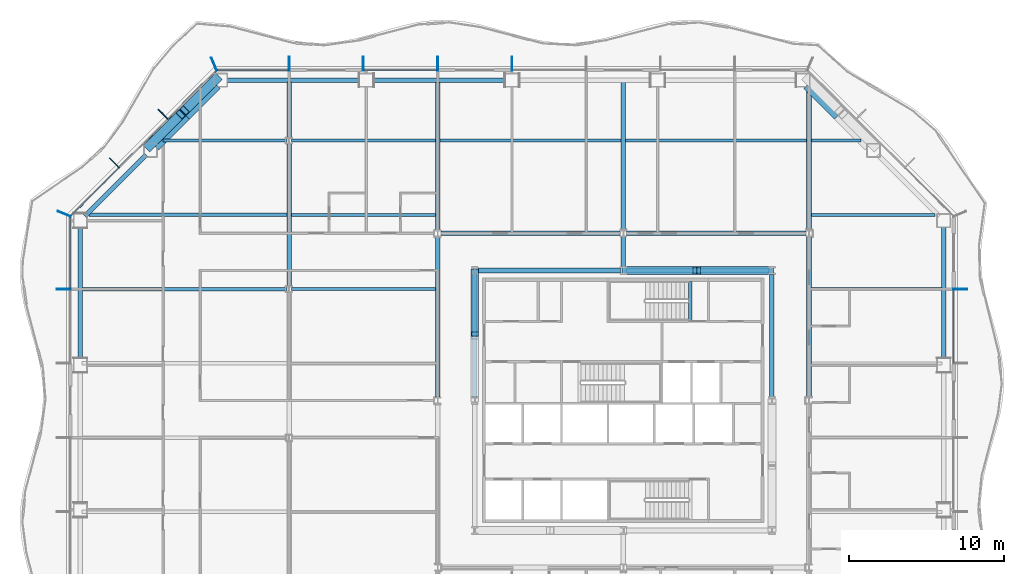
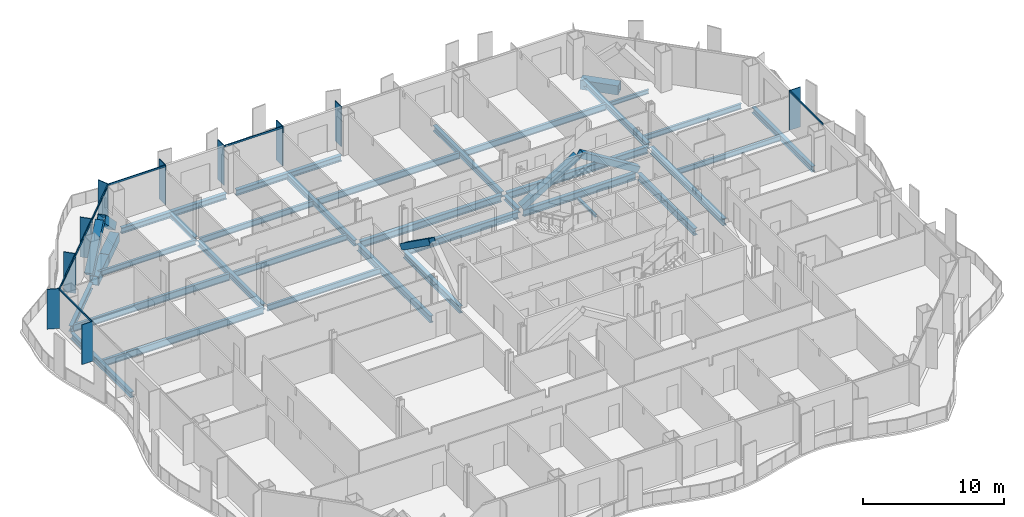
# One storey, part 3 of 21: 34 beams, 22 members, 4 elements without a shape of their own.
"""IFC4 building model written with IfcOpenShell, lengths in metres."""

from ifc_helpers import new_model, si_unit, direction, frame, origin, origin_2d, place, context, subcontext, project, spatial, rectangle, hollow_rectangle, i_section, extrude, material, material_profile, profile_set, type_object, element, aggregate, save


model = new_model("IFC4")

# Units and contexts
model_context = context("Model", 3, precision=1e-05, world=origin(), true_north=direction((0.0, 1.0)))
body_context = subcontext(model_context, "Body", "Model", "MODEL_VIEW")
ifc_project = project(units=[si_unit("LENGTHUNIT", "METRE"), si_unit("AREAUNIT", "SQUARE_METRE"), si_unit("VOLUMEUNIT", "CUBIC_METRE"), si_unit("PLANEANGLEUNIT", "RADIAN"), si_unit("MASSUNIT", "GRAM", prefix="KILO")], contexts=[model_context])

# Site, building, storey
site_placement = place(None, origin())
site = spatial("IfcSite", under=ifc_project, at=site_placement, CompositionType="ELEMENT")
building_placement = place(site_placement, origin())
building = spatial("IfcBuilding", under=site, at=building_placement, Name="Cairn Pilgrim Tower", CompositionType="ELEMENT")
storey_placement = place(building_placement, frame((0.0, 0.0, 69.0)))
storey = spatial("IfcBuildingStorey", under=building, at=storey_placement, Name="L15", CompositionType="ELEMENT", Elevation=69.0)

# Members
ifc_material_1 = material(Name="Structural steel S460M", Category="steel")
ifc_material_profile_1 = material_profile(ifc_material_1, hollow_rectangle(XDim=0.5, YDim=0.5, WallThickness=0.030029296875, at=origin_2d()), Name="BOX 500x500x30")
ifc_profile_set_1 = profile_set([ifc_material_profile_1], Name="Structural steel S460M")
member_type_1 = type_object("IfcMemberType", Name="BOX 500x500x30 BRACE", PredefinedType="BRACE", material=ifc_profile_set_1)
member_1_placement = place(storey_placement, frame((16.75634765625, 10.800048828125, 0.10009765625), z_axis=(-0.851022151122, 0.0, 0.52512979186), x_axis=(0.0, -1.0, 0.0)))
element("IfcMember", 1, at=member_1_placement, inside=storey, type_object=member_type_1, Name="KB-3A", PredefinedType="BRACE", context=body_context, shape_type="SweptSolid", body=[
    extrude(hollow_rectangle(XDim=0.5, YDim=0.5, WallThickness=0.030029296875, at=origin_2d()), origin(), (0.0, 0.0, 1.0), 5.5263671875),
])
member_2_placement = place(storey_placement, frame((7.24365234375, 10.800048828125, 0.10009765625), z_axis=(0.851007515624, 0.0, 0.525153509321), x_axis=(0.0, 1.0, 0.0)))
element("IfcMember", 2, at=member_2_placement, inside=storey, type_object=member_type_1, Name="KB-3B", PredefinedType="BRACE", context=body_context, shape_type="SweptSolid", body=[
    extrude(hollow_rectangle(XDim=0.5, YDim=0.5, WallThickness=0.030029296875, at=origin_2d()), origin(), (0.0, 0.0, 1.0), 5.37646484375),
])
member_3_placement = place(storey_placement, frame((-2.39990234375, 10.75634765625, 0.10009765625), z_axis=(0.0, -0.814198726233, 0.580586284889), x_axis=(1.0, 0.0, 0.0)))
element("IfcMember", 3, at=member_3_placement, inside=storey, type_object=member_type_1, Name="KB-4A", PredefinedType="BRACE", context=body_context, shape_type="SweptSolid", body=[
    extrude(hollow_rectangle(XDim=0.5, YDim=0.5, WallThickness=0.030029296875, at=origin_2d()), origin(), (0.0, 0.0, 1.0), 4.99658203125),
])
ifc_material_profile_2 = material_profile(ifc_material_1, hollow_rectangle(XDim=0.60009765625, YDim=0.60009765625, WallThickness=0.034912109375, at=origin_2d()), Name="BOX 600x600x35")
ifc_profile_set_2 = profile_set([ifc_material_profile_2], Name="Structural steel S460M")
member_type_2 = type_object("IfcMemberType", Name="BOX 600x600x35 BRACE", PredefinedType="BRACE", material=ifc_profile_set_2)
for number, where, z_axis, x_axis, name in (
    (4, (-19.078125, 23.2236328125, 0.14990234375), (-0.52892212789, -0.52892212789, 0.663688756314), (0.707106781187, -0.707106781187, 0.0), "XB-NW1-NW2-1"),
    (5, (-23.4873046875, 18.814697265625, 0.14990234375), (0.528939327604, 0.528877844478, 0.663710338426), (-0.70706568108, 0.707147878904, 0.0), "XB-NW1-NW2-2"),
):
    element("IfcMember", number, at=place(storey_placement, frame(where, z_axis=z_axis, x_axis=x_axis)), inside=storey, type_object=member_type_2, Name=name, PredefinedType="BRACE", context=body_context, shape_type="SweptSolid", body=[
        extrude(hollow_rectangle(XDim=0.60009765625, YDim=0.60009765625, WallThickness=0.034912109375, at=origin_2d()), origin(), (0.0, 0.0, 1.0), 3.970947265625),
    ])

# Beams
ifc_material_2 = material(Name="Structural steel S355J2", Category="steel")
ifc_material_profile_3 = material_profile(ifc_material_2, hollow_rectangle(XDim=0.699951171875, YDim=0.800048828125, WallThickness=0.0400390625, at=origin_2d()), Name="BOX 700x800x40")
ifc_profile_set_3 = profile_set([ifc_material_profile_3], Name="Structural steel S355J2")
beam_type_1 = type_object("IfcBeamType", Name="BOX 700x800x40 RING GIRDER", PredefinedType="SPANDREL", material=ifc_profile_set_3)
for number, where, z_axis, x_axis, name in (
    (6, (21.095458984375, 20.831787109375, -0.550048828125), (-0.707106781187, 0.707106781187, 0.0), (-0.707106781187, -0.707106781187, 0.0), "RG1-NE2-N1-2"),
    (7, (-19.113525390625, 22.813720703125, -0.550048828125), (-0.707106781187, -0.707106781187, 0.0), (0.707106781187, -0.707106781187, 0.0), "RG1-NW1-NW2-1"),
):
    element("IfcBeam", number, at=place(storey_placement, frame(where, z_axis=z_axis, x_axis=x_axis)), inside=storey, type_object=beam_type_1, Name=name, PredefinedType="SPANDREL", context=body_context, shape_type="SweptSolid", body=[
        extrude(hollow_rectangle(XDim=0.699951171875, YDim=0.800048828125, WallThickness=0.0400390625, at=origin_2d()), origin(), (0.0, 0.0, 1.0), 2.802978515625),
    ])
beam_1_placement = place(storey_placement, frame((-21.095458984375, 20.831787109375, -0.550048828125), z_axis=(-0.707106781187, -0.707106781187, 0.0), x_axis=(0.707106781187, -0.707106781187, 0.0)))
element("IfcBeam", 8, at=beam_1_placement, inside=storey, type_object=beam_type_1, Name="RG1-NW1-NW2-2", PredefinedType="SPANDREL", context=body_context, shape_type="SweptSolid", body=[
    extrude(hollow_rectangle(XDim=0.699951171875, YDim=0.800048828125, WallThickness=0.0400390625, at=origin_2d()), origin(), (0.0, 0.0, 1.0), 2.802490234375),
])

# Curtain wall, member
ifc_material_3 = material(Name="Aluminium alloy 6063-T6 bronze anodised with Bronze tinted laminated low-E glass 8+16+8.8", Category="aluminium")
curtain_wall_type_1 = type_object("IfcCurtainWallType", Name="TOWER STICK CURTAIN WALL EW", PredefinedType="NOTDEFINED", material=ifc_material_3)
curtain_wall_1_placement = place(storey_placement, origin())
curtain_wall_1 = element("IfcCurtainWall", 9, at=curtain_wall_1_placement, inside=storey, type_object=curtain_wall_type_1, Name="Tower Stick Curtain Wall Ew E", PredefinedType="NOTDEFINED")
ifc_material_4 = material(Name="Aluminium alloy 6063-T6 bronze anodised", Category="aluminium")
ifc_material_profile_4 = material_profile(ifc_material_4, rectangle(XDim=0.89990234375, YDim=0.06005859375, at=origin_2d()), Name="FIN MULLION 60x900 BRONZE")
ifc_profile_set_4 = profile_set([ifc_material_profile_4], Name="Aluminium alloy 6063-T6 bronze anodised")
member_type_3 = type_object("IfcMemberType", Name="FIN MULLION 60x900 BRONZE", PredefinedType="MULLION", material=ifc_profile_set_4)
member_4_placement = place(storey_placement, frame((28.969970703125, 9.60009765625, 0.0), z_axis=(0.0, 0.0, 1.0), x_axis=(1.0, 0.0, 0.0)))
member_4 = element("IfcMember", 10, at=member_4_placement, type_object=member_type_3, Name="Fin mullion E6", PredefinedType="MULLION", context=body_context, shape_type="SweptSolid", body=[
    extrude(rectangle(XDim=0.89990234375, YDim=0.06005859375, at=origin_2d()), origin(), (0.0, 0.0, 1.0), 3.449951171875),
])

# Curtain wall, members
curtain_wall_type_2 = type_object("IfcCurtainWallType", Name="TOWER STICK CURTAIN WALL NS", PredefinedType="NOTDEFINED", material=ifc_material_3)
curtain_wall_2_placement = place(storey_placement, origin())
curtain_wall_2 = element("IfcCurtainWall", 11, at=curtain_wall_2_placement, inside=storey, type_object=curtain_wall_type_2, Name="Tower Stick Curtain Wall Ns N", PredefinedType="NOTDEFINED")
member_5_placement = place(storey_placement, frame((0.0, 24.169921875, 0.0), z_axis=(0.0, 0.0, 1.0), x_axis=(0.0, 1.0, 0.0)))
member_5 = element("IfcMember", 12, at=member_5_placement, type_object=member_type_3, Name="Fin mullion N5", PredefinedType="MULLION", context=body_context, shape_type="SweptSolid", body=[
    extrude(rectangle(XDim=0.89990234375, YDim=0.06005859375, at=origin_2d()), origin(), (0.0, 0.0, 1.0), 3.449951171875),
])
member_6_placement = place(storey_placement, frame((-4.800048828125, 24.169921875, 0.0), z_axis=(0.0, 0.0, 1.0), x_axis=(0.0, 1.0, 0.0)))
member_6 = element("IfcMember", 13, at=member_6_placement, type_object=member_type_3, Name="Fin mullion N6", PredefinedType="MULLION", context=body_context, shape_type="SweptSolid", body=[
    extrude(rectangle(XDim=0.89990234375, YDim=0.06005859375, at=origin_2d()), origin(), (0.0, 0.0, 1.0), 3.449951171875),
])
member_7_placement = place(storey_placement, frame((-9.60009765625, 24.169921875, 0.0), z_axis=(0.0, 0.0, 1.0), x_axis=(0.0, 1.0, 0.0)))
member_7 = element("IfcMember", 14, at=member_7_placement, type_object=member_type_3, Name="Fin mullion N7", PredefinedType="MULLION", context=body_context, shape_type="SweptSolid", body=[
    extrude(rectangle(XDim=0.89990234375, YDim=0.06005859375, at=origin_2d()), origin(), (0.0, 0.0, 1.0), 3.449951171875),
])
member_8_placement = place(storey_placement, frame((-14.39990234375, 24.169921875, 0.0), z_axis=(0.0, 0.0, 1.0), x_axis=(0.0, 1.0, 0.0)))
member_8 = element("IfcMember", 15, at=member_8_placement, type_object=member_type_3, Name="Fin mullion N8", PredefinedType="MULLION", context=body_context, shape_type="SweptSolid", body=[
    extrude(rectangle(XDim=0.89990234375, YDim=0.06005859375, at=origin_2d()), origin(), (0.0, 0.0, 1.0), 3.449951171875),
])

curtain_wall_type_3 = type_object("IfcCurtainWallType", Name="CHAMFER CORNER CURTAIN WALL", PredefinedType="NOTDEFINED", material=ifc_material_3)
curtain_wall_3_placement = place(storey_placement, origin())
curtain_wall_3 = element("IfcCurtainWall", 16, at=curtain_wall_3_placement, inside=storey, type_object=curtain_wall_type_3, Name="Chamfer Corner Curtain Wall NW", PredefinedType="NOTDEFINED")
member_9_placement = place(storey_placement, frame((-19.257080078125, 24.137939453125, 0.0), z_axis=(0.0, 0.0, 1.0), x_axis=(-0.382683432365, 0.923879532511, 0.0)))
member_9 = element("IfcMember", 17, at=member_9_placement, type_object=member_type_3, Name="Fin mullion NW1", PredefinedType="MULLION", context=body_context, shape_type="SweptSolid", body=[
    extrude(rectangle(XDim=0.89990234375, YDim=0.06005859375, at=origin_2d()), origin(), (0.0, 0.0, 1.0), 3.449951171875),
])
member_10_placement = place(storey_placement, frame((-22.544677734375, 20.895751953125, 0.0), z_axis=(0.0, 0.0, 1.0), x_axis=(-0.707106781187, 0.707106781187, 0.0)))
member_10 = element("IfcMember", 18, at=member_10_placement, type_object=member_type_3, Name="Fin mullion NW2", PredefinedType="MULLION", context=body_context, shape_type="SweptSolid", body=[
    extrude(rectangle(XDim=0.89990234375, YDim=0.06005859375, at=origin_2d()), origin(), (0.0, 0.0, 1.0), 3.449951171875),
])
member_11_placement = place(storey_placement, frame((-25.69580078125, 17.74462890625, 0.0), z_axis=(0.0, 0.0, 1.0), x_axis=(-0.707106781187, 0.707106781187, 0.0)))
member_11 = element("IfcMember", 19, at=member_11_placement, type_object=member_type_3, Name="Fin mullion NW3", PredefinedType="MULLION", context=body_context, shape_type="SweptSolid", body=[
    extrude(rectangle(XDim=0.89990234375, YDim=0.06005859375, at=origin_2d()), origin(), (0.0, 0.0, 1.0), 3.449951171875),
])

curtain_wall_4_placement = place(storey_placement, origin())
curtain_wall_4 = element("IfcCurtainWall", 20, at=curtain_wall_4_placement, inside=storey, type_object=curtain_wall_type_1, Name="Tower Stick Curtain Wall Ew W", PredefinedType="NOTDEFINED")
member_12_placement = place(storey_placement, frame((-28.93798828125, 14.457275390625, 0.0), z_axis=(0.0, 0.0, 1.0), x_axis=(-0.923879532511, 0.382683432365, 0.0)))
member_12 = element("IfcMember", 21, at=member_12_placement, type_object=member_type_3, Name="Fin mullion W1", PredefinedType="MULLION", context=body_context, shape_type="SweptSolid", body=[
    extrude(rectangle(XDim=0.89990234375, YDim=0.06005859375, at=origin_2d()), origin(), (0.0, 0.0, 1.0), 3.449951171875),
])
member_13_placement = place(storey_placement, frame((-28.969970703125, 9.60009765625, 0.0), z_axis=(0.0, 0.0, 1.0), x_axis=(-1.0, 0.0, 0.0)))
member_13 = element("IfcMember", 22, at=member_13_placement, type_object=member_type_3, Name="Fin mullion W2", PredefinedType="MULLION", context=body_context, shape_type="SweptSolid", body=[
    extrude(rectangle(XDim=0.89990234375, YDim=0.06005859375, at=origin_2d()), origin(), (0.0, 0.0, 1.0), 3.449951171875),
])

# Beams
ifc_material_profile_5 = material_profile(ifc_material_2, i_section(OverallWidth=0.300048828125, OverallDepth=0.39990234375, WebThickness=0.013427734375, FlangeThickness=0.02392578125, FilletRadius=0.027099609375, at=origin_2d()), Name="HEB 400")
ifc_profile_set_5 = profile_set([ifc_material_profile_5], Name="Structural steel S355J2")
beam_type_2 = type_object("IfcBeamType", Name="HEB 400 GIRDER", PredefinedType="BEAM", material=ifc_profile_set_5)
beam_2_placement = place(storey_placement, frame((-14.39990234375, 19.404541015625, -0.35009765625), z_axis=(0.0, 1.0, 0.0), x_axis=(-1.0, 0.0, 0.0)))
element("IfcBeam", 23, at=beam_2_placement, inside=storey, type_object=beam_type_2, Name="PG1-6", PredefinedType="BEAM", context=body_context, shape_type="SweptSolid", body=[
    extrude(i_section(OverallWidth=0.300048828125, OverallDepth=0.39990234375, WebThickness=0.013427734375, FlangeThickness=0.02392578125, FilletRadius=0.027099609375, at=origin_2d()), origin(), (0.0, 0.0, 1.0), 3.575439453125),
])
beam_3_placement = place(storey_placement, frame((7.199951171875, 11.0185546875, -0.35009765625), z_axis=(0.0, 1.0, 0.0), x_axis=(-1.0, 0.0, 0.0)))
element("IfcBeam", 24, at=beam_3_placement, inside=storey, type_object=beam_type_2, Name="PG3-E2", PredefinedType="BEAM", context=body_context, shape_type="SweptSolid", body=[
    extrude(i_section(OverallWidth=0.300048828125, OverallDepth=0.39990234375, WebThickness=0.013427734375, FlangeThickness=0.02392578125, FilletRadius=0.027099609375, at=origin_2d()), origin(), (0.0, 0.0, 1.0), 1.969482421875),
])
ifc_material_profile_6 = material_profile(ifc_material_2, i_section(OverallWidth=0.300048828125, OverallDepth=0.5, WebThickness=0.014404296875, FlangeThickness=0.028076171875, FilletRadius=0.027099609375, at=origin_2d()), Name="HEB 500")
ifc_profile_set_6 = profile_set([ifc_material_profile_6], Name="Structural steel S355J2")
beam_type_3 = type_object("IfcBeamType", Name="HEB 500 GIRDER", PredefinedType="BEAM", material=ifc_profile_set_6)
beam_4_placement = place(storey_placement, frame((-14.39990234375, 9.804443359375, -0.39990234375), z_axis=(0.0, 1.0, 0.0), x_axis=(-1.0, 0.0, 0.0)))
element("IfcBeam", 25, at=beam_4_placement, inside=storey, type_object=beam_type_3, Name="PG1-5", PredefinedType="BEAM", context=body_context, shape_type="SweptSolid", body=[
    extrude(i_section(OverallWidth=0.300048828125, OverallDepth=0.5, WebThickness=0.014404296875, FlangeThickness=0.028076171875, FilletRadius=0.027099609375, at=origin_2d()), origin(), (0.0, 0.0, 1.0), 9.191162109375),
])
for number, where, z_axis, x_axis, name in (
    (26, (-4.800048828125, 13.412109375, -0.39990234375), (0.0, 1.0, 0.0), (-1.0, 0.0, 0.0), "PG2-4"),
    (27, (7.199951171875, 13.412109375, -0.39990234375), (0.0, 1.0, 0.0), (-1.0, 0.0, 0.0), "PG3-2"),
):
    element("IfcBeam", number, at=place(storey_placement, frame(where, z_axis=z_axis, x_axis=x_axis)), inside=storey, type_object=beam_type_3, Name=name, PredefinedType="BEAM", context=body_context, shape_type="SweptSolid", body=[
        extrude(i_section(OverallWidth=0.300048828125, OverallDepth=0.5, WebThickness=0.014404296875, FlangeThickness=0.028076171875, FilletRadius=0.027099609375, at=origin_2d()), origin(), (0.0, 0.0, 1.0), 9.56787109375),
    ])
beam_5_placement = place(storey_placement, frame((19.199951171875, 13.412109375, -0.39990234375), z_axis=(0.0, 1.0, 0.0), x_axis=(-1.0, 0.0, 0.0)))
element("IfcBeam", 28, at=beam_5_placement, inside=storey, type_object=beam_type_3, Name="PG4-4", PredefinedType="BEAM", context=body_context, shape_type="SweptSolid", body=[
    extrude(i_section(OverallWidth=0.300048828125, OverallDepth=0.5, WebThickness=0.014404296875, FlangeThickness=0.028076171875, FilletRadius=0.027099609375, at=origin_2d()), origin(), (0.0, 0.0, 1.0), 9.133056640625),
])
ifc_material_profile_7 = material_profile(ifc_material_2, i_section(OverallWidth=0.300048828125, OverallDepth=0.5, WebThickness=0.014404296875, FlangeThickness=0.028076171875, FilletRadius=0.027099609375, at=origin_2d()), Name="HEB 500")
ifc_profile_set_7 = profile_set([ifc_material_profile_7], Name="Structural steel S355J2")
beam_type_4 = type_object("IfcBeamType", Name="HEB 500 RING GIRDER", PredefinedType="SPANDREL", material=ifc_profile_set_7)
beam_6_placement = place(storey_placement, frame((27.89990234375, 5.080810546875, -0.39990234375), z_axis=(0.0, 1.0, 0.0), x_axis=(-1.0, 0.0, 0.0)))
element("IfcBeam", 29, at=beam_6_placement, inside=storey, type_object=beam_type_4, Name="RG1-E3-NE1", PredefinedType="SPANDREL", context=body_context, shape_type="SweptSolid", body=[
    extrude(i_section(OverallWidth=0.300048828125, OverallDepth=0.5, WebThickness=0.014404296875, FlangeThickness=0.028076171875, FilletRadius=0.027099609375, at=origin_2d()), origin(), (0.0, 0.0, 1.0), 8.54150390625),
])
for number, where, z_axis, x_axis, name in (
    (30, (-0.405029296875, 23.10009765625, -0.39990234375), (-1.0, 0.0, 0.0), (0.0, -1.0, 0.0), "RG1-N3-N4"),
    (31, (-9.818603515625, 23.10009765625, -0.39990234375), (-1.0, 0.0, 0.0), (0.0, -1.0, 0.0), "RG1-N4-NW1"),
):
    element("IfcBeam", number, at=place(storey_placement, frame(where, z_axis=z_axis, x_axis=x_axis)), inside=storey, type_object=beam_type_4, Name=name, PredefinedType="SPANDREL", context=body_context, shape_type="SweptSolid", body=[
        extrude(i_section(OverallWidth=0.300048828125, OverallDepth=0.5, WebThickness=0.014404296875, FlangeThickness=0.028076171875, FilletRadius=0.027099609375, at=origin_2d()), origin(), (0.0, 0.0, 1.0), 8.603515625),
    ])
beam_7_placement = place(storey_placement, frame((-23.64990234375, 18.277099609375, -0.39990234375), z_axis=(-0.707128558756, -0.707085002947, 0.0), x_axis=(0.707085002947, -0.707128558756, 0.0)))
element("IfcBeam", 32, at=beam_7_placement, inside=storey, type_object=beam_type_4, Name="RG1-NW2-W1", PredefinedType="SPANDREL", context=body_context, shape_type="SweptSolid", body=[
    extrude(i_section(OverallWidth=0.300048828125, OverallDepth=0.5, WebThickness=0.014404296875, FlangeThickness=0.028076171875, FilletRadius=0.027099609375, at=origin_2d()), origin(), (0.0, 0.0, 1.0), 5.605224609375),
])
beam_8_placement = place(storey_placement, frame((-27.89990234375, 13.622314453125, -0.39990234375), z_axis=(0.0, -1.0, 0.0), x_axis=(1.0, 0.0, 0.0)))
element("IfcBeam", 33, at=beam_8_placement, inside=storey, type_object=beam_type_4, Name="RG1-W1-W2", PredefinedType="SPANDREL", context=body_context, shape_type="SweptSolid", body=[
    extrude(i_section(OverallWidth=0.300048828125, OverallDepth=0.5, WebThickness=0.014404296875, FlangeThickness=0.028076171875, FilletRadius=0.027099609375, at=origin_2d()), origin(), (0.0, 0.0, 1.0), 8.54150390625),
])
ifc_material_profile_8 = material_profile(ifc_material_2, i_section(OverallWidth=0.300048828125, OverallDepth=0.60009765625, WebThickness=0.015380859375, FlangeThickness=0.030029296875, FilletRadius=0.027099609375, at=origin_2d()), Name="HEB 600")
ifc_profile_set_8 = profile_set([ifc_material_profile_8], Name="Structural steel S355J2")
beam_type_5 = type_object("IfcBeamType", Name="HEB 600 CORE BEAM", PredefinedType="BEAM", material=ifc_profile_set_8)
beam_9_placement = place(storey_placement, frame((16.800048828125, 2.5966796875, -0.449951171875), z_axis=(0.0, 1.0, 0.0), x_axis=(-1.0, 0.0, 0.0)))
element("IfcBeam", 34, at=beam_9_placement, inside=storey, type_object=beam_type_5, Name="CB-4", PredefinedType="BEAM", context=body_context, shape_type="SweptSolid", body=[
    extrude(i_section(OverallWidth=0.300048828125, OverallDepth=0.60009765625, WebThickness=0.015380859375, FlangeThickness=0.030029296875, FilletRadius=0.027099609375, at=origin_2d()), origin(), (0.0, 0.0, 1.0), 8.0068359375),
])
beam_10_placement = place(storey_placement, frame((16.603271484375, 10.800048828125, -0.449951171875), z_axis=(-1.0, 0.0, 0.0), x_axis=(0.0, -1.0, 0.0)))
element("IfcBeam", 35, at=beam_10_placement, inside=storey, type_object=beam_type_5, Name="CB-5", PredefinedType="BEAM", context=body_context, shape_type="SweptSolid", body=[
    extrude(i_section(OverallWidth=0.300048828125, OverallDepth=0.60009765625, WebThickness=0.015380859375, FlangeThickness=0.030029296875, FilletRadius=0.027099609375, at=origin_2d()), origin(), (0.0, 0.0, 1.0), 9.20654296875),
])
beam_11_placement = place(storey_placement, frame((7.00341796875, 10.800048828125, -0.449951171875), z_axis=(-1.0, 0.0, 0.0), x_axis=(0.0, -1.0, 0.0)))
element("IfcBeam", 36, at=beam_11_placement, inside=storey, type_object=beam_type_5, Name="CB-6", PredefinedType="BEAM", context=body_context, shape_type="SweptSolid", body=[
    extrude(i_section(OverallWidth=0.300048828125, OverallDepth=0.60009765625, WebThickness=0.015380859375, FlangeThickness=0.030029296875, FilletRadius=0.027099609375, at=origin_2d()), origin(), (0.0, 0.0, 1.0), 9.206787109375),
])
beam_12_placement = place(storey_placement, frame((-2.39990234375, 10.603515625, -0.449951171875), z_axis=(0.0, -1.0, 0.0), x_axis=(1.0, 0.0, 0.0)))
element("IfcBeam", 37, at=beam_12_placement, inside=storey, type_object=beam_type_5, Name="CB-7", PredefinedType="BEAM", context=body_context, shape_type="SweptSolid", body=[
    extrude(i_section(OverallWidth=0.300048828125, OverallDepth=0.60009765625, WebThickness=0.015380859375, FlangeThickness=0.030029296875, FilletRadius=0.027099609375, at=origin_2d()), origin(), (0.0, 0.0, 1.0), 8.0068359375),
])
ifc_material_profile_9 = material_profile(ifc_material_2, i_section(OverallWidth=0.300048828125, OverallDepth=0.60009765625, WebThickness=0.015380859375, FlangeThickness=0.030029296875, FilletRadius=0.027099609375, at=origin_2d()), Name="HEB 600")
ifc_profile_set_9 = profile_set([ifc_material_profile_9], Name="Structural steel S355J2")
beam_type_6 = type_object("IfcBeamType", Name="HEB 600 GIRDER", PredefinedType="BEAM", material=ifc_profile_set_9)
for number, where, z_axis, x_axis, name in (
    (38, (-4.800048828125, 2.612060546875, -0.449951171875), (0.0, 1.0, 0.0), (-1.0, 0.0, 0.0), "PG2-3"),
    (39, (19.199951171875, 2.612060546875, -0.449951171875), (0.0, 1.0, 0.0), (-1.0, 0.0, 0.0), "PG4-3"),
):
    element("IfcBeam", number, at=place(storey_placement, frame(where, z_axis=z_axis, x_axis=x_axis)), inside=storey, type_object=beam_type_6, Name=name, PredefinedType="BEAM", context=body_context, shape_type="SweptSolid", body=[
        extrude(i_section(OverallWidth=0.300048828125, OverallDepth=0.60009765625, WebThickness=0.015380859375, FlangeThickness=0.030029296875, FilletRadius=0.027099609375, at=origin_2d()), origin(), (0.0, 0.0, 1.0), 10.3759765625),
    ])
ifc_material_profile_10 = material_profile(ifc_material_2, i_section(OverallWidth=0.300048828125, OverallDepth=0.60009765625, WebThickness=0.015380859375, FlangeThickness=0.030029296875, FilletRadius=0.027099609375, at=origin_2d()), Name="HEB 600")
ifc_profile_set_10 = profile_set([ifc_material_profile_10], Name="Structural steel S355J2")
beam_type_7 = type_object("IfcBeamType", Name="HEB 600 INNER GIRDER", PredefinedType="BEAM", material=ifc_profile_set_10)
for number, where, z_axis, x_axis, name in (
    (40, (-4.587890625, 13.199951171875, -0.449951171875), (1.0, 0.0, 0.0), (0.0, 1.0, 0.0), "IG2-1"),
    (41, (7.412109375, 13.199951171875, -0.449951171875), (1.0, 0.0, 0.0), (0.0, 1.0, 0.0), "IG2-2"),
):
    element("IfcBeam", number, at=place(storey_placement, frame(where, z_axis=z_axis, x_axis=x_axis)), inside=storey, type_object=beam_type_7, Name=name, PredefinedType="BEAM", context=body_context, shape_type="SweptSolid", body=[
        extrude(i_section(OverallWidth=0.300048828125, OverallDepth=0.60009765625, WebThickness=0.015380859375, FlangeThickness=0.030029296875, FilletRadius=0.027099609375, at=origin_2d()), origin(), (0.0, 0.0, 1.0), 11.575927734375),
    ])
ifc_material_profile_11 = material_profile(ifc_material_2, i_section(OverallWidth=0.169921875, OverallDepth=0.360107421875, WebThickness=0.008056640625, FlangeThickness=0.0126953125, FilletRadius=0.01806640625, at=origin_2d()), Name="IPE 360")
ifc_profile_set_11 = profile_set([ifc_material_profile_11], Name="Structural steel S355J2")
beam_type_8 = type_object("IfcBeamType", Name="IPE 360 SECONDARY BEAM", PredefinedType="JOIST", material=ifc_profile_set_11)
beam_13_placement = place(storey_placement, frame((19.35009765625, 19.199951171875, -0.330078125), z_axis=(1.0, 0.0, 0.0), x_axis=(0.0, 1.0, 0.0)))
element("IfcBeam", 42, at=beam_13_placement, inside=storey, type_object=beam_type_8, Name="SB9-5", PredefinedType="JOIST", context=body_context, shape_type="SweptSolid", body=[
    extrude(i_section(OverallWidth=0.169921875, OverallDepth=0.360107421875, WebThickness=0.008056640625, FlangeThickness=0.0126953125, FilletRadius=0.01806640625, at=origin_2d()), origin(), (0.0, 0.0, 1.0), 3.195068359375),
])
ifc_material_profile_12 = material_profile(ifc_material_2, i_section(OverallWidth=0.18994140625, OverallDepth=0.449951171875, WebThickness=0.009521484375, FlangeThickness=0.0146484375, FilletRadius=0.02099609375, at=origin_2d()), Name="IPE 450")
ifc_profile_set_12 = profile_set([ifc_material_profile_12], Name="Structural steel S355J2")
beam_type_9 = type_object("IfcBeamType", Name="IPE 450 SECONDARY BEAM", PredefinedType="JOIST", material=ifc_profile_set_12)
beam_14_placement = place(storey_placement, frame((19.35009765625, 9.60009765625, -0.375), z_axis=(1.0, 0.0, 0.0), x_axis=(0.0, 1.0, 0.0)))
element("IfcBeam", 43, at=beam_14_placement, inside=storey, type_object=beam_type_9, Name="SB7-3", PredefinedType="JOIST", context=body_context, shape_type="SweptSolid", body=[
    extrude(i_section(OverallWidth=0.18994140625, OverallDepth=0.449951171875, WebThickness=0.009521484375, FlangeThickness=0.0146484375, FilletRadius=0.02099609375, at=origin_2d()), origin(), (0.0, 0.0, 1.0), 8.429931640625),
])
for number, where, z_axis, x_axis, name in (
    (44, (19.35009765625, 14.39990234375, -0.375), (1.0, 0.0, 0.0), (0.0, 1.0, 0.0), "SB8-3"),
    (45, (-22.545166015625, 19.199951171875, -0.375), (1.0, 0.0, 0.0), (0.0, 1.0, 0.0), "SB9-1"),
):
    element("IfcBeam", number, at=place(storey_placement, frame(where, z_axis=z_axis, x_axis=x_axis)), inside=storey, type_object=beam_type_9, Name=name, PredefinedType="JOIST", context=body_context, shape_type="SweptSolid", body=[
        extrude(i_section(OverallWidth=0.18994140625, OverallDepth=0.449951171875, WebThickness=0.009521484375, FlangeThickness=0.0146484375, FilletRadius=0.02099609375, at=origin_2d()), origin(), (0.0, 0.0, 1.0), 7.9951171875),
    ])
ifc_material_profile_13 = material_profile(ifc_material_2, i_section(OverallWidth=0.199951171875, OverallDepth=0.5, WebThickness=0.01025390625, FlangeThickness=0.01611328125, FilletRadius=0.02099609375, at=origin_2d()), Name="IPE 500")
ifc_profile_set_13 = profile_set([ifc_material_profile_13], Name="Structural steel S355J2")
beam_type_10 = type_object("IfcBeamType", Name="IPE 500 SECONDARY BEAM", PredefinedType="JOIST", material=ifc_profile_set_13)
for number, where, z_axis, x_axis, name in (
    (46, (-14.25, 9.60009765625, -0.39990234375), (1.0, 0.0, 0.0), (0.0, 1.0, 0.0), "SB7-2"),
    (47, (-14.25, 14.39990234375, -0.39990234375), (1.0, 0.0, 0.0), (0.0, 1.0, 0.0), "SB8-2"),
    (48, (-14.25, 19.199951171875, -0.39990234375), (1.0, 0.0, 0.0), (0.0, 1.0, 0.0), "SB9-2"),
):
    element("IfcBeam", number, at=place(storey_placement, frame(where, z_axis=z_axis, x_axis=x_axis)), inside=storey, type_object=beam_type_10, Name=name, PredefinedType="JOIST", context=body_context, shape_type="SweptSolid", body=[
        extrude(i_section(OverallWidth=0.199951171875, OverallDepth=0.5, WebThickness=0.01025390625, FlangeThickness=0.01611328125, FilletRadius=0.02099609375, at=origin_2d()), origin(), (0.0, 0.0, 1.0), 9.300048828125),
    ])
ifc_material_profile_14 = material_profile(ifc_material_2, i_section(OverallWidth=0.2099609375, OverallDepth=0.550048828125, WebThickness=0.010986328125, FlangeThickness=0.01708984375, FilletRadius=0.02392578125, at=origin_2d()), Name="IPE 550")
ifc_profile_set_14 = profile_set([ifc_material_profile_14], Name="Structural steel S355J2")
beam_type_11 = type_object("IfcBeamType", Name="IPE 550 SECONDARY BEAM", PredefinedType="JOIST", material=ifc_profile_set_14)
for number, where, z_axis, x_axis, name in (
    (49, (-4.64990234375, 19.199951171875, -0.425048828125), (1.0, 0.0, 0.0), (0.0, 1.0, 0.0), "SB9-3"),
    (50, (7.35009765625, 19.199951171875, -0.425048828125), (1.0, 0.0, 0.0), (0.0, 1.0, 0.0), "SB9-4"),
):
    element("IfcBeam", number, at=place(storey_placement, frame(where, z_axis=z_axis, x_axis=x_axis)), inside=storey, type_object=beam_type_11, Name=name, PredefinedType="JOIST", context=body_context, shape_type="SweptSolid", body=[
        extrude(i_section(OverallWidth=0.2099609375, OverallDepth=0.550048828125, WebThickness=0.010986328125, FlangeThickness=0.01708984375, FilletRadius=0.02392578125, at=origin_2d()), origin(), (0.0, 0.0, 1.0), 11.699951171875),
    ])
ifc_material_profile_15 = material_profile(ifc_material_2, i_section(OverallWidth=0.219970703125, OverallDepth=0.60009765625, WebThickness=0.011962890625, FlangeThickness=0.01904296875, FilletRadius=0.02392578125, at=origin_2d()), Name="IPE 600")
ifc_profile_set_15 = profile_set([ifc_material_profile_15], Name="Structural steel S355J2")
beam_type_12 = type_object("IfcBeamType", Name="IPE 600 SECONDARY BEAM", PredefinedType="JOIST", material=ifc_profile_set_15)
beam_15_placement = place(storey_placement, frame((-27.780029296875, 9.60009765625, -0.449951171875), z_axis=(1.0, 0.0, 0.0), x_axis=(0.0, 1.0, 0.0)))
element("IfcBeam", 51, at=beam_15_placement, inside=storey, type_object=beam_type_12, Name="SB7-1", PredefinedType="JOIST", context=body_context, shape_type="SweptSolid", body=[
    extrude(i_section(OverallWidth=0.219970703125, OverallDepth=0.60009765625, WebThickness=0.011962890625, FlangeThickness=0.01904296875, FilletRadius=0.02392578125, at=origin_2d()), origin(), (0.0, 0.0, 1.0), 13.22998046875),
])
beam_16_placement = place(storey_placement, frame((-27.34521484375, 14.39990234375, -0.449951171875), z_axis=(1.0, 0.0, 0.0), x_axis=(0.0, 1.0, 0.0)))
element("IfcBeam", 52, at=beam_16_placement, inside=storey, type_object=beam_type_12, Name="SB8-1", PredefinedType="JOIST", context=body_context, shape_type="SweptSolid", body=[
    extrude(i_section(OverallWidth=0.219970703125, OverallDepth=0.60009765625, WebThickness=0.011962890625, FlangeThickness=0.01904296875, FilletRadius=0.02392578125, at=origin_2d()), origin(), (0.0, 0.0, 1.0), 12.795166015625),
])
ifc_material_profile_16 = material_profile(ifc_material_2, i_section(OverallWidth=0.199951171875, OverallDepth=0.199951171875, WebThickness=0.009033203125, FlangeThickness=0.014892578125, FilletRadius=0.01806640625, at=origin_2d()), Name="HE 200 B")
ifc_profile_set_16 = profile_set([ifc_material_profile_16], Name="Structural steel S355J2")
beam_type_13 = type_object("IfcBeamType", Name="STAIR LANDING BEAM HE 200 B", PredefinedType="BEAM", material=ifc_profile_set_16)
beam_17_placement = place(storey_placement, frame((11.5244140625, 10.10009765625, -0.25), z_axis=(0.0, -1.0, 0.0), x_axis=(1.0, 0.0, 0.0)))
element("IfcBeam", 53, at=beam_17_placement, inside=storey, type_object=beam_type_13, Name="STAIR LANDING BEAM LD-HE200B", PredefinedType="BEAM", context=body_context, shape_type="SweptSolid", body=[
    extrude(i_section(OverallWidth=0.199951171875, OverallDepth=0.199951171875, WebThickness=0.009033203125, FlangeThickness=0.014892578125, FilletRadius=0.01806640625, at=origin_2d()), origin(), (0.0, 0.0, 1.0), 2.525146484375),
])

# Member
ifc_material_profile_17 = material_profile(ifc_material_4, rectangle(XDim=0.080078125, YDim=0.14990234375, at=origin_2d()), Name="TRANSOM 80x150 BRONZE")
ifc_profile_set_17 = profile_set([ifc_material_profile_17], Name="Aluminium alloy 6063-T6 bronze anodised")
member_type_4 = type_object("IfcMemberType", Name="TRANSOM 80x150 BRONZE", PredefinedType="USERDEFINED", material=ifc_profile_set_17)
member_14_placement = place(storey_placement, frame((28.550048828125, 4.830078125, 3.375), z_axis=(0.0, 1.0, 0.0), x_axis=(-1.0, 0.0, 0.0)))
member_14 = element("IfcMember", 54, at=member_14_placement, type_object=member_type_4, Name="Transom E5", ObjectType="TRANSOM", PredefinedType="USERDEFINED", context=body_context, shape_type="SweptSolid", body=[
    extrude(rectangle(XDim=0.080078125, YDim=0.14990234375, at=origin_2d()), origin(), (0.0, 0.0, 1.0), 4.739990234375),
])

aggregate(curtain_wall_1, [member_4, member_14])

member_15_placement = place(storey_placement, frame((-4.830078125, 23.75, 3.375), z_axis=(-1.0, 0.0, 0.0), x_axis=(0.0, -1.0, 0.0)))
member_15 = element("IfcMember", 55, at=member_15_placement, type_object=member_type_4, Name="Transom N6", ObjectType="TRANSOM", PredefinedType="USERDEFINED", context=body_context, shape_type="SweptSolid", body=[
    extrude(rectangle(XDim=0.080078125, YDim=0.14990234375, at=origin_2d()), origin(), (0.0, 0.0, 1.0), 4.739990234375),
])

member_16_placement = place(storey_placement, frame((-14.429931640625, 23.75, 3.375), z_axis=(-1.0, 0.0, 0.0), x_axis=(0.0, -1.0, 0.0)))
member_16 = element("IfcMember", 56, at=member_16_placement, type_object=member_type_4, Name="Transom N8", ObjectType="TRANSOM", PredefinedType="USERDEFINED", context=body_context, shape_type="SweptSolid", body=[
    extrude(rectangle(XDim=0.080078125, YDim=0.14990234375, at=origin_2d()), origin(), (0.0, 0.0, 1.0), 4.62646484375),
])

aggregate(curtain_wall_2, [member_5, member_6, member_7, member_8, member_15, member_16])

member_17_placement = place(storey_placement, frame((-19.124755859375, 23.7216796875, 3.375), z_axis=(-0.707106781187, -0.707106781187, 0.0), x_axis=(0.707106781187, -0.707106781187, 0.0)))
member_17 = element("IfcMember", 57, at=member_17_placement, type_object=member_type_4, Name="Transom NW1", ObjectType="TRANSOM", PredefinedType="USERDEFINED", context=body_context, shape_type="SweptSolid", body=[
    extrude(rectangle(XDim=0.080078125, YDim=0.14990234375, at=origin_2d()), origin(), (0.0, 0.0, 1.0), 4.38623046875),
])

member_18_placement = place(storey_placement, frame((-22.268798828125, 20.57763671875, 3.375), z_axis=(-0.707106781187, -0.707106781187, 0.0), x_axis=(0.707106781187, -0.707106781187, 0.0)))
member_18 = element("IfcMember", 58, at=member_18_placement, type_object=member_type_4, Name="Transom NW2", ObjectType="TRANSOM", PredefinedType="USERDEFINED", context=body_context, shape_type="SweptSolid", body=[
    extrude(rectangle(XDim=0.080078125, YDim=0.14990234375, at=origin_2d()), origin(), (0.0, 0.0, 1.0), 4.396728515625),
])

member_19_placement = place(storey_placement, frame((-25.419921875, 17.426513671875, 3.375), z_axis=(-0.707106781187, -0.707106781187, 0.0), x_axis=(0.707106781187, -0.707106781187, 0.0)))
member_19 = element("IfcMember", 59, at=member_19_placement, type_object=member_type_4, Name="Transom NW3", ObjectType="TRANSOM", PredefinedType="USERDEFINED", context=body_context, shape_type="SweptSolid", body=[
    extrude(rectangle(XDim=0.080078125, YDim=0.14990234375, at=origin_2d()), origin(), (0.0, 0.0, 1.0), 4.38671875),
])

aggregate(curtain_wall_3, [member_9, member_10, member_11, member_17, member_18, member_19])

member_20_placement = place(storey_placement, frame((-28.550048828125, 14.25634765625, 3.375), z_axis=(0.0, -1.0, 0.0), x_axis=(1.0, 0.0, 0.0)))
member_20 = element("IfcMember", 60, at=member_20_placement, type_object=member_type_4, Name="Transom W1", ObjectType="TRANSOM", PredefinedType="USERDEFINED", context=body_context, shape_type="SweptSolid", body=[
    extrude(rectangle(XDim=0.080078125, YDim=0.14990234375, at=origin_2d()), origin(), (0.0, 0.0, 1.0), 4.62646484375),
])

aggregate(curtain_wall_4, [member_12, member_13, member_20])

save(model, "model.ifc")
